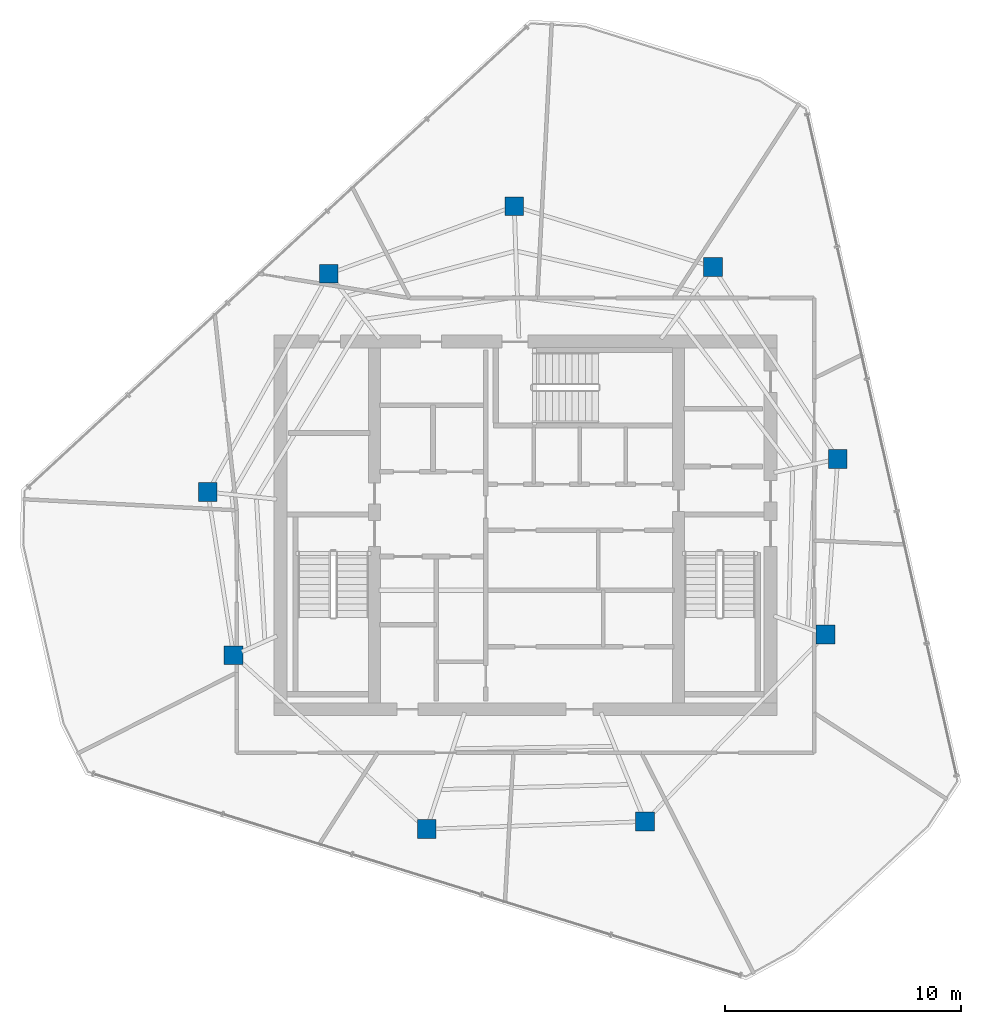
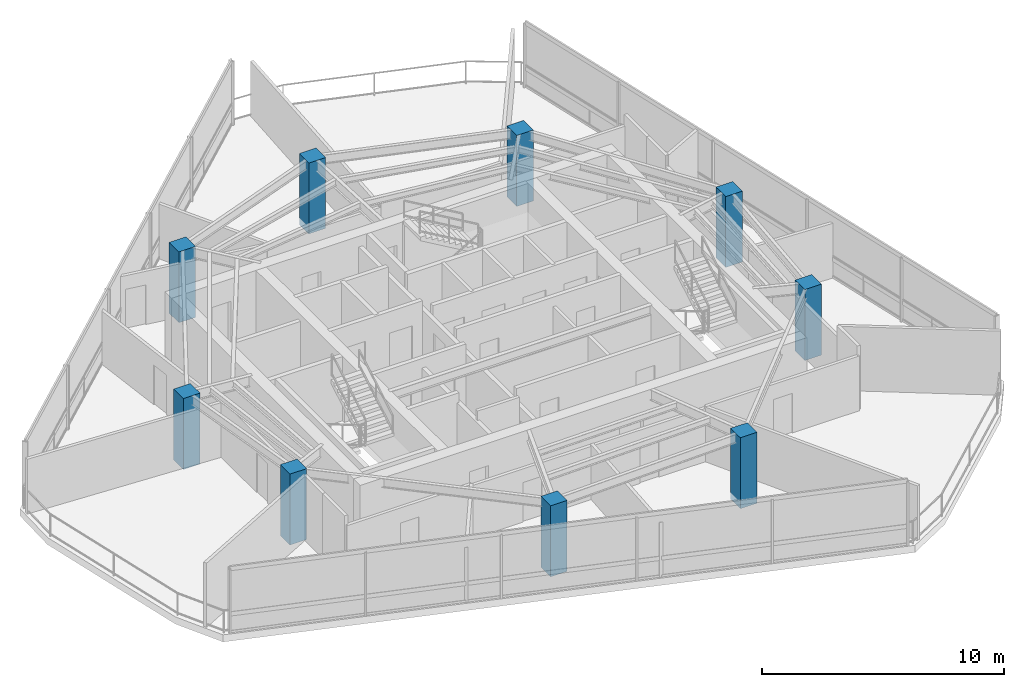
# One storey, part 1 of 19: 9 columns.
"""IFC4 building model written with IfcOpenShell, lengths in metres."""

from ifc_helpers import new_model, si_unit, direction, frame, origin, origin_2d, place, context, subcontext, project, spatial, rectangle, extrude, material, material_profile, profile_set, type_object, element, save


model = new_model("IFC4")

# Units and contexts
model_context = context("Model", 3, precision=1e-05, world=origin(), true_north=direction((0.0, 1.0)))
body_context = subcontext(model_context, "Body", "Model", "MODEL_VIEW")
ifc_project = project(units=[si_unit("LENGTHUNIT", "METRE"), si_unit("AREAUNIT", "SQUARE_METRE"), si_unit("VOLUMEUNIT", "CUBIC_METRE"), si_unit("PLANEANGLEUNIT", "RADIAN"), si_unit("MASSUNIT", "GRAM", prefix="KILO")], contexts=[model_context])

# Site, building, storey
site_placement = place(None, origin())
site = spatial("IfcSite", under=ifc_project, at=site_placement, CompositionType="ELEMENT")
building_placement = place(site_placement, origin())
building = spatial("IfcBuilding", under=site, at=building_placement, Name="Qarnah Convention Tower", CompositionType="ELEMENT")
storey_placement = place(building_placement, frame((0.0, 0.0, 228.300048828125)))
storey = spatial("IfcBuildingStorey", under=building, at=storey_placement, Name="L61", CompositionType="ELEMENT", Elevation=228.300048828125)

# Columns
ifc_material = material(Name="Concrete C50/60", Category="concrete")
ifc_material_profile = material_profile(ifc_material, rectangle(XDim=0.800048828125, YDim=0.800048828125, at=origin_2d()), Name="RC-COL-800X800")
ifc_profile_set = profile_set([ifc_material_profile], Name="Concrete C50/60")
column_type = type_object("IfcColumnType", Name="COL-Z5-800", PredefinedType="COLUMN", material=ifc_profile_set)
for number, where, z_axis, x_axis, name in (
    (1, (50.4541015625, 29.217041015625, -0.344970703125), (0.0, 0.0, 1.0), (1.0, 0.0, 0.0), "L61 plumb column PC-Z5-01"),
    (2, (45.1640625, 37.362060546875, -0.344970703125), (0.0, 0.0, 1.0), (1.0, 0.0, 0.0), "L61 plumb column PC-Z5-02"),
    (3, (36.72705078125, 39.94189453125, -0.344970703125), (0.0, 0.0, 1.0), (1.0, 0.0, 0.0), "L61 plumb column PC-Z5-03"),
    (4, (28.85791015625, 37.077880859375, -0.344970703125), (0.0, 0.0, 1.0), (1.0, 0.0, 0.0), "L61 plumb column PC-Z5-04"),
    (5, (23.72412109375, 27.81591796875, -0.344970703125), (0.0, 0.0, 1.0), (1.0, 0.0, 0.0), "L61 plumb column PC-Z5-05"),
    (6, (24.821044921875, 20.888916015625, -0.344970703125), (0.0, 0.0, 1.0), (1.0, 0.0, 0.0), "L61 plumb column PC-Z5-06"),
    (7, (33.012939453125, 13.512939453125, -0.344970703125), (0.0, 0.0, 1.0), (1.0, 0.0, 0.0), "L61 plumb column PC-Z5-07"),
    (8, (42.27587890625, 13.8369140625, -0.344970703125), (0.0, 0.0, 1.0), (1.0, 0.0, 0.0), "L61 plumb column PC-Z5-08"),
    (9, (49.93310546875, 21.76611328125, -0.344970703125), (0.0, 0.0, 1.0), (1.0, 0.0, 0.0), "L61 plumb column PC-Z5-09"),
):
    element("IfcColumn", number, at=place(storey_placement, frame(where, z_axis=z_axis, x_axis=x_axis)), inside=storey, type_object=column_type, Name=name, PredefinedType="COLUMN", context=body_context, shape_type="SweptSolid", body=[
        extrude(rectangle(XDim=0.800048828125, YDim=0.800048828125, at=origin_2d()), origin(), (0.0, 0.0, 1.0), 3.5849609375),
    ])

save(model, "model.ifc")
